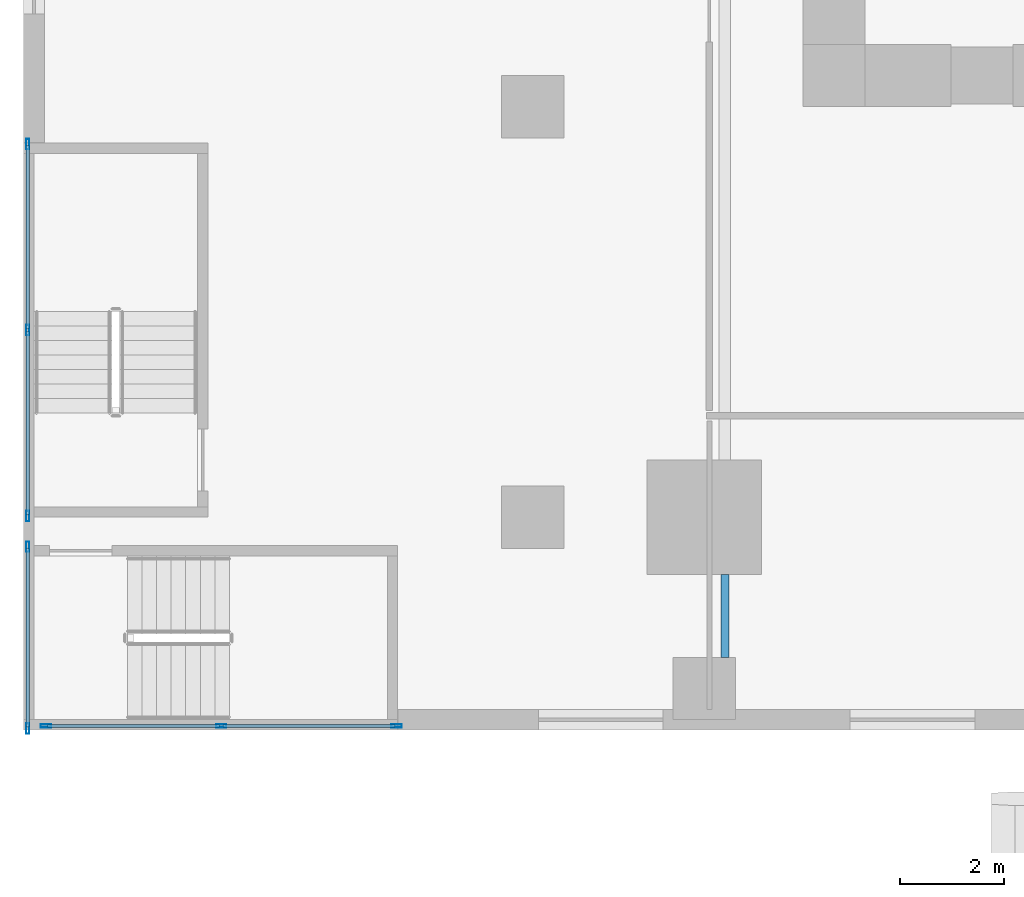
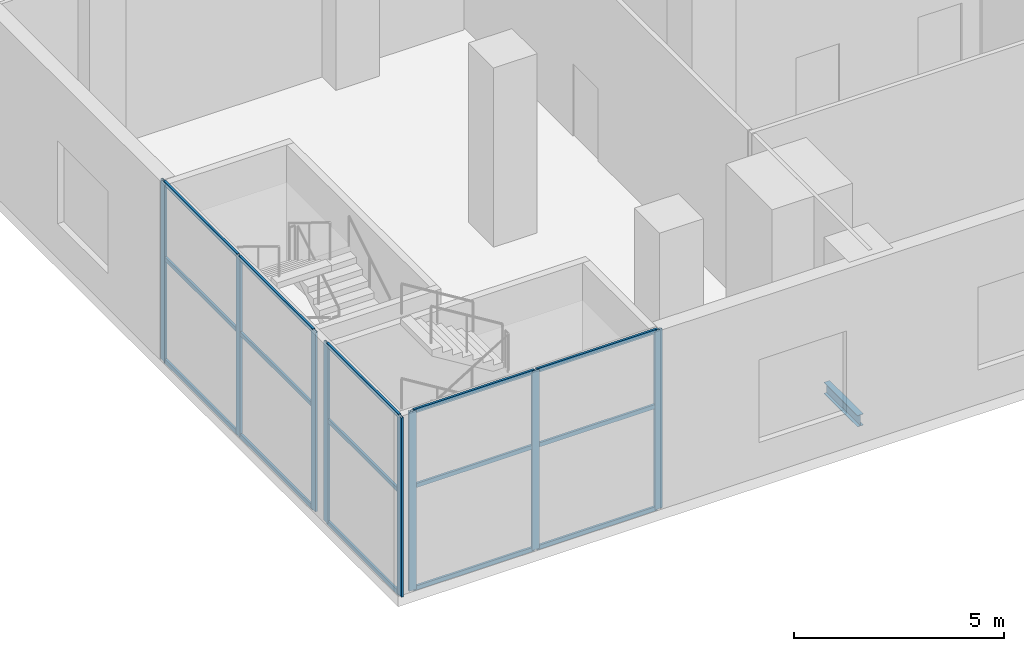
# One storey, part 2 of 23: 23 members, 1 beam, 3 elements without a shape of their own.
"""IFC4 building model written with IfcOpenShell, lengths in metres."""

from ifc_helpers import new_model, si_unit, direction, frame, origin, origin_2d, place, context, subcontext, project, spatial, hollow_rectangle, i_section, extrude, source, transform, mapped, material, material_profile, profile_set, type_object, element, aggregate, save


model = new_model("IFC4")

# Units and contexts
model_context = context("Model", 3, precision=1e-05, world=origin(), true_north=direction((0.0, 1.0)))
body_context = subcontext(model_context, "Body", "Model", "MODEL_VIEW")
ifc_project = project(units=[si_unit("LENGTHUNIT", "METRE"), si_unit("AREAUNIT", "SQUARE_METRE"), si_unit("VOLUMEUNIT", "CUBIC_METRE"), si_unit("PLANEANGLEUNIT", "RADIAN"), si_unit("MASSUNIT", "GRAM", prefix="KILO")], contexts=[model_context])

# Site, building, storey
site_placement = place(None, origin())
site = spatial("IfcSite", under=ifc_project, at=site_placement, CompositionType="ELEMENT")
building_placement = place(site_placement, origin())
building = spatial("IfcBuilding", under=site, at=building_placement, Name="Khomas Fold Tower", CompositionType="ELEMENT")
storey_placement = place(building_placement, frame((0.0, 0.0, 13.0)))
storey = spatial("IfcBuildingStorey", under=building, at=storey_placement, Name="L02", CompositionType="ELEMENT", Elevation=13.0)

# Beam
ifc_material_1 = material(Name="Steel S355", Category="steel")
ifc_material_profile_1 = material_profile(ifc_material_1, i_section(OverallWidth=0.159912109375, OverallDepth=0.330078125, WebThickness=0.007568359375, FlangeThickness=0.011474609375, at=origin_2d()), Name="IPE 330")
ifc_profile_set_1 = profile_set([ifc_material_profile_1], Name="Steel S355")
beam_type = type_object("IfcBeamType", Name="IPE 330 beam JB1", PredefinedType="BEAM", material=ifc_profile_set_1)
shared_shape_1 = source(origin(), body_context, "Body", "SweptSolid", [
    extrude(i_section(OverallWidth=0.159912109375, OverallDepth=0.330078125, WebThickness=0.007568359375, FlangeThickness=0.011474609375, at=origin_2d()), origin(), (0.0, 0.0, 1.0), 1.60009765625),
])
beam_placement = place(storey_placement, frame((4.5, 1.39990234375, -0.465087890625), z_axis=(0.0, 1.0, 0.0), x_axis=(-1.0, 0.0, 0.0)))
element("IfcBeam", 1, at=beam_placement, inside=storey, type_object=beam_type, Name="JB1", PredefinedType="BEAM", context=body_context, shape_type="MappedRepresentation", body=[
    mapped(shared_shape_1, transform((0.0, 0.0, 0.0))),
])

# Curtain wall, members
ifc_material_2 = material(Name="Aluminium framed double glazing", Category="aluminium")
curtain_wall_type = type_object("IfcCurtainWallType", Name="Shopfront glazing PD-CW", PredefinedType="NOTDEFINED", material=ifc_material_2)
curtain_wall_1_placement = place(storey_placement, origin())
curtain_wall_1 = element("IfcCurtainWall", 2, at=curtain_wall_1_placement, inside=storey, type_object=curtain_wall_type, Name="Podium stair-tower glazing", PredefinedType="NOTDEFINED")
ifc_material_3 = material(Name="Aluminium", Category="aluminium")
ifc_material_profile_2 = material_profile(ifc_material_3, hollow_rectangle(XDim=0.06005859375, YDim=0.199951171875, WallThickness=0.00390625, at=origin_2d()), Name="Shopfront glazing mullion PD-CW-M")
ifc_profile_set_2 = profile_set([ifc_material_profile_2], Name="Aluminium")
member_type_1 = type_object("IfcMemberType", Name="Shopfront glazing mullion PD-CW-M", PredefinedType="MULLION", material=ifc_profile_set_2)
shared_shape_2 = source(origin(), body_context, "Body", "SweptSolid", [
    extrude(hollow_rectangle(XDim=0.06005859375, YDim=0.199951171875, WallThickness=0.00390625, at=origin_2d()), origin(), (0.0, 0.0, 1.0), 5.199951171875),
])
member_1_placement = place(storey_placement, frame((-8.919921875, 11.280029296875, 0.0), z_axis=(0.0, 0.0, 1.0), x_axis=(1.0, 0.0, 0.0)))
member_1 = element("IfcMember", 3, at=member_1_placement, type_object=member_type_1, Name="PD-CW mullion 1", PredefinedType="MULLION", context=body_context, shape_type="MappedRepresentation", body=[
    mapped(shared_shape_2, transform((0.0, 0.0, 0.0))),
])
member_2_placement = place(storey_placement, frame((-8.919921875, 7.699951171875, 0.0), z_axis=(0.0, 0.0, 1.0), x_axis=(1.0, 0.0, 0.0)))
member_2 = element("IfcMember", 4, at=member_2_placement, type_object=member_type_1, Name="PD-CW mullion 2", PredefinedType="MULLION", context=body_context, shape_type="MappedRepresentation", body=[
    mapped(shared_shape_2, transform((0.0, 0.0, 0.0))),
])
member_3_placement = place(storey_placement, frame((-8.919921875, 4.1201171875, 0.0), z_axis=(0.0, 0.0, 1.0), x_axis=(1.0, 0.0, 0.0)))
member_3 = element("IfcMember", 5, at=member_3_placement, type_object=member_type_1, Name="PD-CW mullion 3", PredefinedType="MULLION", context=body_context, shape_type="MappedRepresentation", body=[
    mapped(shared_shape_2, transform((0.0, 0.0, 0.0))),
])

curtain_wall_2_placement = place(storey_placement, origin())
curtain_wall_2 = element("IfcCurtainWall", 6, at=curtain_wall_2_placement, inside=storey, type_object=curtain_wall_type, Name="Podium stair-tower glazing", PredefinedType="NOTDEFINED")
member_4_placement = place(storey_placement, frame((-8.919921875, 3.530029296875, 0.0), z_axis=(0.0, 0.0, 1.0), x_axis=(1.0, 0.0, 0.0)))
member_4 = element("IfcMember", 7, at=member_4_placement, type_object=member_type_1, Name="PD-CW mullion 1", PredefinedType="MULLION", context=body_context, shape_type="MappedRepresentation", body=[
    mapped(shared_shape_2, transform((0.0, 0.0, 0.0))),
])
member_5_placement = place(storey_placement, frame((-8.919921875, 0.030029296875, 0.0), z_axis=(0.0, 0.0, 1.0), x_axis=(1.0, 0.0, 0.0)))
member_5 = element("IfcMember", 8, at=member_5_placement, type_object=member_type_1, Name="PD-CW mullion 2", PredefinedType="MULLION", context=body_context, shape_type="MappedRepresentation", body=[
    mapped(shared_shape_2, transform((0.0, 0.0, 0.0))),
])

curtain_wall_3_placement = place(storey_placement, origin())
curtain_wall_3 = element("IfcCurtainWall", 9, at=curtain_wall_3_placement, inside=storey, type_object=curtain_wall_type, Name="Podium stair-tower glazing", PredefinedType="NOTDEFINED")
member_6_placement = place(storey_placement, frame((-8.570068359375, 0.080078125, 0.0), z_axis=(0.0, 0.0, 1.0), x_axis=(0.0, 1.0, 0.0)))
member_6 = element("IfcMember", 10, at=member_6_placement, type_object=member_type_1, Name="PD-CW mullion 1", PredefinedType="MULLION", context=body_context, shape_type="MappedRepresentation", body=[
    mapped(shared_shape_2, transform((0.0, 0.0, 0.0))),
])
member_7_placement = place(storey_placement, frame((-5.195068359375, 0.080078125, 0.0), z_axis=(0.0, 0.0, 1.0), x_axis=(0.0, 1.0, 0.0)))
member_7 = element("IfcMember", 11, at=member_7_placement, type_object=member_type_1, Name="PD-CW mullion 2", PredefinedType="MULLION", context=body_context, shape_type="MappedRepresentation", body=[
    mapped(shared_shape_2, transform((0.0, 0.0, 0.0))),
])
member_8_placement = place(storey_placement, frame((-1.820068359375, 0.080078125, 0.0), z_axis=(0.0, 0.0, 1.0), x_axis=(0.0, 1.0, 0.0)))
member_8 = element("IfcMember", 12, at=member_8_placement, type_object=member_type_1, Name="PD-CW mullion 3", PredefinedType="MULLION", context=body_context, shape_type="MappedRepresentation", body=[
    mapped(shared_shape_2, transform((0.0, 0.0, 0.0))),
])

# Member
ifc_material_4 = material(Name="Aluminium", Category="aluminium")
ifc_material_profile_3 = material_profile(ifc_material_4, hollow_rectangle(XDim=0.06005859375, YDim=0.1201171875, WallThickness=0.00390625, at=origin_2d()), Name="Shopfront glazing transom PD-CW-T")
ifc_profile_set_3 = profile_set([ifc_material_profile_3], Name="Aluminium")
member_type_2 = type_object("IfcMemberType", Name="Shopfront glazing transom PD-CW-T", PredefinedType="USERDEFINED", material=ifc_profile_set_3)
shared_shape_3 = source(origin(), body_context, "Body", "SweptSolid", [
    extrude(hollow_rectangle(XDim=0.06005859375, YDim=0.1201171875, WallThickness=0.00390625, at=origin_2d()), origin(), (0.0, 0.0, 1.0), 3.52001953125),
])
member_9_placement = place(storey_placement, frame((-8.919921875, 11.25, 0.030029296875), z_axis=(0.0, -1.0, 0.0), x_axis=(1.0, 0.0, 0.0)))
member_9 = element("IfcMember", 13, at=member_9_placement, type_object=member_type_2, Name="PD-CW transom 1.1", ObjectType="TRANSOM", PredefinedType="USERDEFINED", context=body_context, shape_type="MappedRepresentation", body=[
    mapped(shared_shape_3, transform((0.0, 0.0, 0.0))),
])

member_10_placement = place(storey_placement, frame((-8.919921875, 11.25, 3.0), z_axis=(0.0, -1.0, 0.0), x_axis=(1.0, 0.0, 0.0)))
member_10 = element("IfcMember", 14, at=member_10_placement, type_object=member_type_2, Name="PD-CW transom 1.2", ObjectType="TRANSOM", PredefinedType="USERDEFINED", context=body_context, shape_type="MappedRepresentation", body=[
    mapped(shared_shape_3, transform((0.0, 0.0, 0.0))),
])

member_11_placement = place(storey_placement, frame((-8.919921875, 11.25, 5.169921875), z_axis=(0.0, -1.0, 0.0), x_axis=(1.0, 0.0, 0.0)))
member_11 = element("IfcMember", 15, at=member_11_placement, type_object=member_type_2, Name="PD-CW transom 1.3", ObjectType="TRANSOM", PredefinedType="USERDEFINED", context=body_context, shape_type="MappedRepresentation", body=[
    mapped(shared_shape_3, transform((0.0, 0.0, 0.0))),
])

member_12_placement = place(storey_placement, frame((-8.919921875, 7.669921875, 0.030029296875), z_axis=(0.0, -1.0, 0.0), x_axis=(1.0, 0.0, 0.0)))
member_12 = element("IfcMember", 16, at=member_12_placement, type_object=member_type_2, Name="PD-CW transom 2.1", ObjectType="TRANSOM", PredefinedType="USERDEFINED", context=body_context, shape_type="MappedRepresentation", body=[
    mapped(shared_shape_3, transform((0.0, 0.0, 0.0))),
])

member_13_placement = place(storey_placement, frame((-8.919921875, 7.669921875, 3.0), z_axis=(0.0, -1.0, 0.0), x_axis=(1.0, 0.0, 0.0)))
member_13 = element("IfcMember", 17, at=member_13_placement, type_object=member_type_2, Name="PD-CW transom 2.2", ObjectType="TRANSOM", PredefinedType="USERDEFINED", context=body_context, shape_type="MappedRepresentation", body=[
    mapped(shared_shape_3, transform((0.0, 0.0, 0.0))),
])

member_14_placement = place(storey_placement, frame((-8.919921875, 7.669921875, 5.169921875), z_axis=(0.0, -1.0, 0.0), x_axis=(1.0, 0.0, 0.0)))
member_14 = element("IfcMember", 18, at=member_14_placement, type_object=member_type_2, Name="PD-CW transom 2.3", ObjectType="TRANSOM", PredefinedType="USERDEFINED", context=body_context, shape_type="MappedRepresentation", body=[
    mapped(shared_shape_3, transform((0.0, 0.0, 0.0))),
])

aggregate(curtain_wall_1, [member_1, member_2, member_3, member_9, member_10, member_11, member_12, member_13, member_14])

shared_shape_4 = source(origin(), body_context, "Body", "SweptSolid", [
    extrude(hollow_rectangle(XDim=0.06005859375, YDim=0.1201171875, WallThickness=0.00390625, at=origin_2d()), origin(), (0.0, 0.0, 1.0), 3.43994140625),
])
member_15_placement = place(storey_placement, frame((-8.919921875, 3.5, 0.030029296875), z_axis=(0.0, -1.0, 0.0), x_axis=(1.0, 0.0, 0.0)))
member_15 = element("IfcMember", 19, at=member_15_placement, type_object=member_type_2, Name="PD-CW transom 1.1", ObjectType="TRANSOM", PredefinedType="USERDEFINED", context=body_context, shape_type="MappedRepresentation", body=[
    mapped(shared_shape_4, transform((0.0, 0.0, 0.0))),
])

member_16_placement = place(storey_placement, frame((-8.919921875, 3.5, 3.0), z_axis=(0.0, -1.0, 0.0), x_axis=(1.0, 0.0, 0.0)))
member_16 = element("IfcMember", 20, at=member_16_placement, type_object=member_type_2, Name="PD-CW transom 1.2", ObjectType="TRANSOM", PredefinedType="USERDEFINED", context=body_context, shape_type="MappedRepresentation", body=[
    mapped(shared_shape_4, transform((0.0, 0.0, 0.0))),
])

member_17_placement = place(storey_placement, frame((-8.919921875, 3.5, 5.169921875), z_axis=(0.0, -1.0, 0.0), x_axis=(1.0, 0.0, 0.0)))
member_17 = element("IfcMember", 21, at=member_17_placement, type_object=member_type_2, Name="PD-CW transom 1.3", ObjectType="TRANSOM", PredefinedType="USERDEFINED", context=body_context, shape_type="MappedRepresentation", body=[
    mapped(shared_shape_4, transform((0.0, 0.0, 0.0))),
])

aggregate(curtain_wall_2, [member_4, member_5, member_15, member_16, member_17])

shared_shape_5 = source(origin(), body_context, "Body", "SweptSolid", [
    extrude(hollow_rectangle(XDim=0.06005859375, YDim=0.1201171875, WallThickness=0.00390625, at=origin_2d()), origin(), (0.0, 0.0, 1.0), 3.31494140625),
])
member_18_placement = place(storey_placement, frame((-8.5400390625, 0.080078125, 0.030029296875), z_axis=(1.0, 0.0, 0.0), x_axis=(0.0, 1.0, 0.0)))
member_18 = element("IfcMember", 22, at=member_18_placement, type_object=member_type_2, Name="PD-CW transom 1.1", ObjectType="TRANSOM", PredefinedType="USERDEFINED", context=body_context, shape_type="MappedRepresentation", body=[
    mapped(shared_shape_5, transform((0.0, 0.0, 0.0))),
])

member_19_placement = place(storey_placement, frame((-8.5400390625, 0.080078125, 3.0), z_axis=(1.0, 0.0, 0.0), x_axis=(0.0, 1.0, 0.0)))
member_19 = element("IfcMember", 23, at=member_19_placement, type_object=member_type_2, Name="PD-CW transom 1.2", ObjectType="TRANSOM", PredefinedType="USERDEFINED", context=body_context, shape_type="MappedRepresentation", body=[
    mapped(shared_shape_5, transform((0.0, 0.0, 0.0))),
])

member_20_placement = place(storey_placement, frame((-8.5400390625, 0.080078125, 5.169921875), z_axis=(1.0, 0.0, 0.0), x_axis=(0.0, 1.0, 0.0)))
member_20 = element("IfcMember", 24, at=member_20_placement, type_object=member_type_2, Name="PD-CW transom 1.3", ObjectType="TRANSOM", PredefinedType="USERDEFINED", context=body_context, shape_type="MappedRepresentation", body=[
    mapped(shared_shape_5, transform((0.0, 0.0, 0.0))),
])

member_21_placement = place(storey_placement, frame((-5.1650390625, 0.080078125, 0.030029296875), z_axis=(1.0, 0.0, 0.0), x_axis=(0.0, 1.0, 0.0)))
member_21 = element("IfcMember", 25, at=member_21_placement, type_object=member_type_2, Name="PD-CW transom 2.1", ObjectType="TRANSOM", PredefinedType="USERDEFINED", context=body_context, shape_type="MappedRepresentation", body=[
    mapped(shared_shape_5, transform((0.0, 0.0, 0.0))),
])

member_22_placement = place(storey_placement, frame((-5.1650390625, 0.080078125, 3.0), z_axis=(1.0, 0.0, 0.0), x_axis=(0.0, 1.0, 0.0)))
member_22 = element("IfcMember", 26, at=member_22_placement, type_object=member_type_2, Name="PD-CW transom 2.2", ObjectType="TRANSOM", PredefinedType="USERDEFINED", context=body_context, shape_type="MappedRepresentation", body=[
    mapped(shared_shape_5, transform((0.0, 0.0, 0.0))),
])

member_23_placement = place(storey_placement, frame((-5.1650390625, 0.080078125, 5.169921875), z_axis=(1.0, 0.0, 0.0), x_axis=(0.0, 1.0, 0.0)))
member_23 = element("IfcMember", 27, at=member_23_placement, type_object=member_type_2, Name="PD-CW transom 2.3", ObjectType="TRANSOM", PredefinedType="USERDEFINED", context=body_context, shape_type="MappedRepresentation", body=[
    mapped(shared_shape_5, transform((0.0, 0.0, 0.0))),
])

aggregate(curtain_wall_3, [member_6, member_7, member_8, member_18, member_19, member_20, member_21, member_22, member_23])

save(model, "model.ifc")
